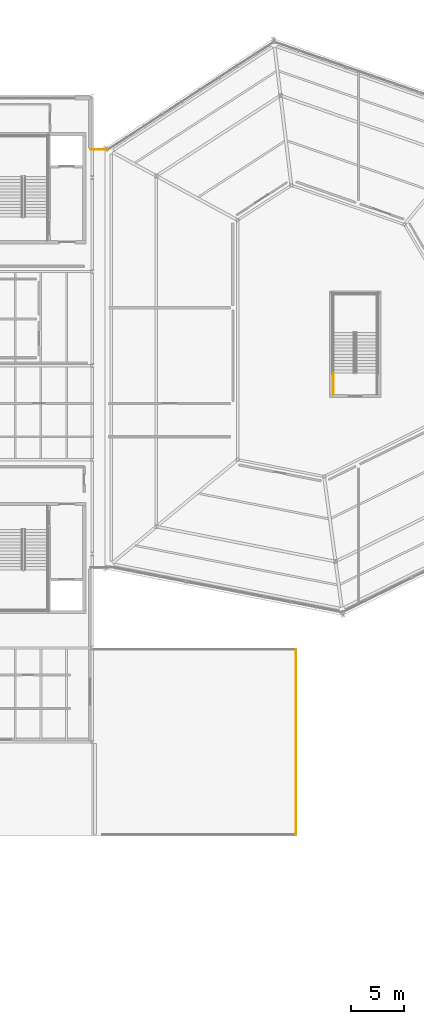
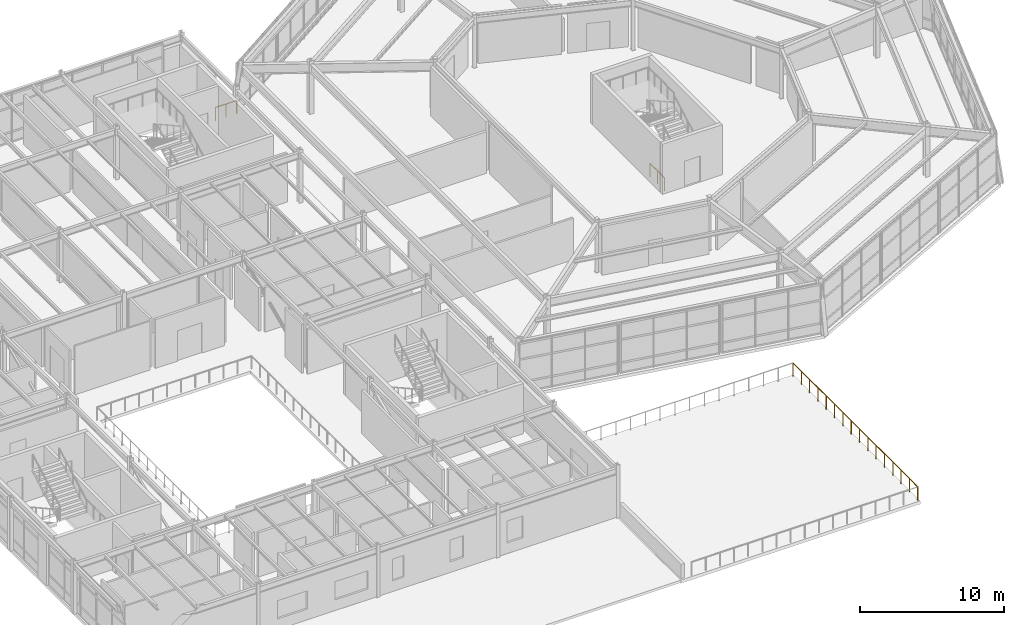
# One storey, part 68 of 69: 3 railings.
"""IFC4 building model written with IfcOpenShell, lengths in metres."""

from ifc_helpers import new_model, si_unit, direction, frame, origin, origin_2d, place, context, subcontext, project, spatial, circle, extrude, material, layer, layer_set, type_object, element, save


model = new_model("IFC4")

# Units and contexts
model_context = context("Model", 3, precision=1e-05, world=origin(), true_north=direction((0.0, 1.0)))
body_context = subcontext(model_context, "Body", "Model", "MODEL_VIEW")
ifc_project = project(units=[si_unit("LENGTHUNIT", "METRE"), si_unit("AREAUNIT", "SQUARE_METRE"), si_unit("VOLUMEUNIT", "CUBIC_METRE"), si_unit("PLANEANGLEUNIT", "RADIAN"), si_unit("MASSUNIT", "GRAM", prefix="KILO")], contexts=[model_context])

# Site, building, storey
site_placement = place(None, origin())
site = spatial("IfcSite", under=ifc_project, at=site_placement, CompositionType="ELEMENT")
building_placement = place(site_placement, origin())
building = spatial("IfcBuilding", under=site, at=building_placement, Name="Sarnbrook Museum", CompositionType="ELEMENT")
storey_placement = place(building_placement, frame((0.0, 0.0, 14.60009765625)))
storey = spatial("IfcBuildingStorey", under=building, at=storey_placement, Name="L03", CompositionType="ELEMENT", Elevation=14.60009765625)

# Railings
ifc_material_1 = material(Name="Brushed Stainless Steel Grade 316", Category="steel")
ifc_layer = layer(ifc_material_1, 0.050048828125)
ifc_layer_set = layer_set([ifc_layer], Name="Brushed Stainless Steel Grade 316")
railing_type_1 = type_object("IfcRailingType", Name="Guard_Int1120", PredefinedType="BALUSTRADE", material=ifc_layer_set)
railing_1_placement = place(storey_placement, frame((141.75, 80.5, 0.0)))
element("IfcRailing", 1, at=railing_1_placement, inside=storey, type_object=railing_type_1, Name="L03 ST7 stair guard 9", PredefinedType="BALUSTRADE", context=body_context, shape_type="SweptSolid", body=[
    extrude(circle(Radius=0.02392578125, at=origin_2d()), frame((0.0, 0.0, 1.09619140625), z_axis=(0.0, 1.0, 0.0), x_axis=(-1.0, 0.0, 0.0)), (0.0, 0.0, 1.0), 2.02001953125),
    extrude(circle(Radius=0.02099609375, at=origin_2d()), origin(), (0.0, 0.0, 1.0), 1.072021484375),
    extrude(circle(Radius=0.02099609375, at=origin_2d()), frame((0.0, 1.010009765625, 0.0)), (0.0, 0.0, 1.0), 1.072021484375),
    extrude(circle(Radius=0.02099609375, at=origin_2d()), frame((0.0, 2.02001953125, 0.0)), (0.0, 0.0, 1.0), 1.072021484375),
])
railing_2_placement = place(storey_placement, frame((119.050048828125, 103.43994140625, 0.0)))
element("IfcRailing", 2, at=railing_2_placement, inside=storey, type_object=railing_type_1, Name="Concourse Gallery Edge Balustrade L03-2", PredefinedType="BALUSTRADE", context=body_context, shape_type="SweptSolid", body=[
    extrude(circle(Radius=0.02392578125, at=origin_2d()), frame((0.0, 0.0, 1.09619140625), z_axis=(1.0, 0.0, 0.0), x_axis=(0.0, 1.0, 0.0)), (0.0, 0.0, 1.0), 1.699951171875),
    extrude(circle(Radius=0.02099609375, at=origin_2d()), origin(), (0.0, 0.0, 1.0), 1.072021484375),
    extrude(circle(Radius=0.02099609375, at=origin_2d()), frame((0.85009765625, 0.0, 0.0)), (0.0, 0.0, 1.0), 1.072021484375),
    extrude(circle(Radius=0.02099609375, at=origin_2d()), frame((1.699951171875, 0.0, 0.0)), (0.0, 0.0, 1.0), 1.072021484375),
])
ifc_material_2 = material(Name="Patinated Architectural Bronze")
railing_type_2 = type_object("IfcRailingType", Name="Guardrail_Terrace1150", PredefinedType="GUARDRAIL", material=ifc_material_2)
railing_3_placement = place(storey_placement, frame((138.25, 39.35009765625, 0.0)))
element("IfcRailing", 3, at=railing_3_placement, inside=storey, type_object=railing_type_2, Name="East Roof Garden Terrace Guardrail L03-2", PredefinedType="GUARDRAIL", context=body_context, shape_type="SweptSolid", body=[
    extrude(circle(Radius=0.02392578125, at=origin_2d()), frame((0.0, 0.0, 1.1259765625), z_axis=(0.0, 1.0, 0.0), x_axis=(-1.0, 0.0, 0.0)), (0.0, 0.0, 1.0), 17.2998046875),
    extrude(circle(Radius=0.02099609375, at=origin_2d()), origin(), (0.0, 0.0, 1.0), 1.101806640625),
    extrude(circle(Radius=0.02099609375, at=origin_2d()), frame((0.0, 1.1533203125, 0.0)), (0.0, 0.0, 1.0), 1.101806640625),
    extrude(circle(Radius=0.02099609375, at=origin_2d()), frame((0.0, 2.306640625, 0.0)), (0.0, 0.0, 1.0), 1.101806640625),
    extrude(circle(Radius=0.02099609375, at=origin_2d()), frame((0.0, 3.4599609375, 0.0)), (0.0, 0.0, 1.0), 1.101806640625),
    extrude(circle(Radius=0.02099609375, at=origin_2d()), frame((0.0, 4.61328125, 0.0)), (0.0, 0.0, 1.0), 1.101806640625),
    extrude(circle(Radius=0.02099609375, at=origin_2d()), frame((0.0, 5.7666015625, 0.0)), (0.0, 0.0, 1.0), 1.101806640625),
    extrude(circle(Radius=0.02099609375, at=origin_2d()), frame((0.0, 6.919921875, 0.0)), (0.0, 0.0, 1.0), 1.101806640625),
    extrude(circle(Radius=0.02099609375, at=origin_2d()), frame((0.0, 8.0732421875, 0.0)), (0.0, 0.0, 1.0), 1.101806640625),
    extrude(circle(Radius=0.02099609375, at=origin_2d()), frame((0.0, 9.2265625, 0.0)), (0.0, 0.0, 1.0), 1.101806640625),
    extrude(circle(Radius=0.02099609375, at=origin_2d()), frame((0.0, 10.3798828125, 0.0)), (0.0, 0.0, 1.0), 1.101806640625),
    extrude(circle(Radius=0.02099609375, at=origin_2d()), frame((0.0, 11.533203125, 0.0)), (0.0, 0.0, 1.0), 1.101806640625),
    extrude(circle(Radius=0.02099609375, at=origin_2d()), frame((0.0, 12.6865234375, 0.0)), (0.0, 0.0, 1.0), 1.101806640625),
    extrude(circle(Radius=0.02099609375, at=origin_2d()), frame((0.0, 13.83984375, 0.0)), (0.0, 0.0, 1.0), 1.101806640625),
    extrude(circle(Radius=0.02099609375, at=origin_2d()), frame((0.0, 14.9931640625, 0.0)), (0.0, 0.0, 1.0), 1.101806640625),
    extrude(circle(Radius=0.02099609375, at=origin_2d()), frame((0.0, 16.146484375, 0.0)), (0.0, 0.0, 1.0), 1.101806640625),
    extrude(circle(Radius=0.02099609375, at=origin_2d()), frame((0.0, 17.2998046875, 0.0)), (0.0, 0.0, 1.0), 1.101806640625),
])

save(model, "model.ifc")
